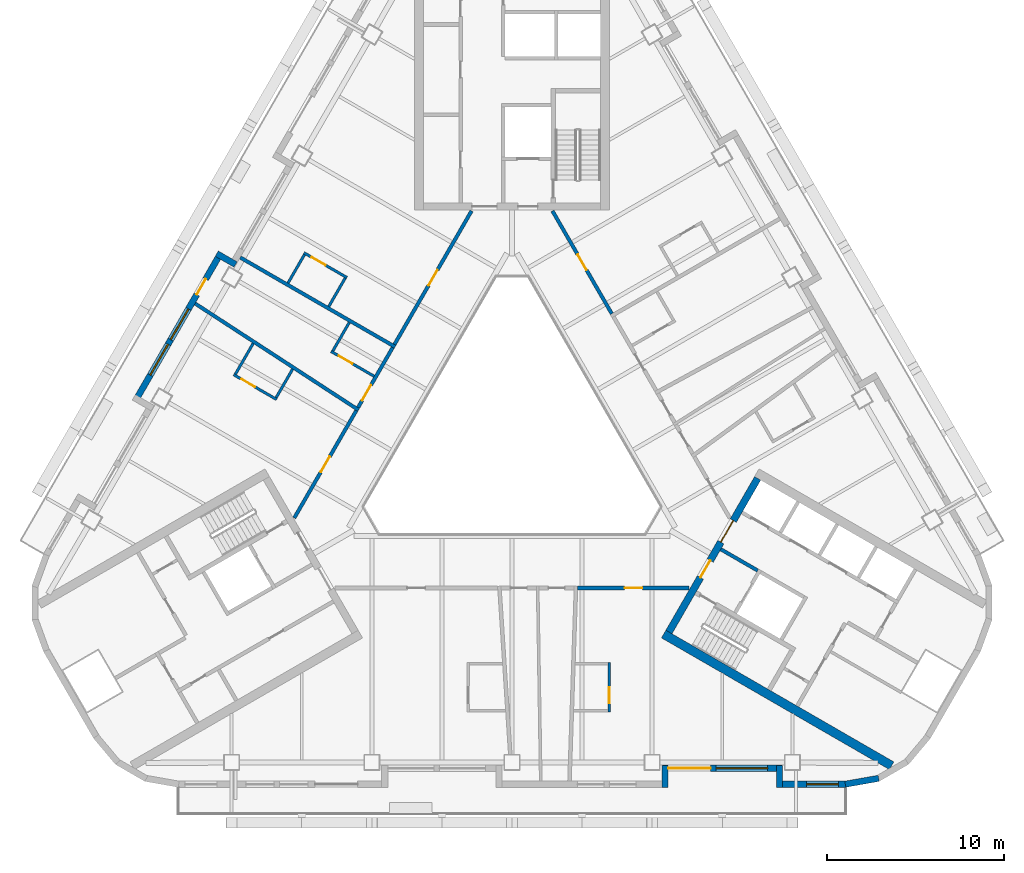
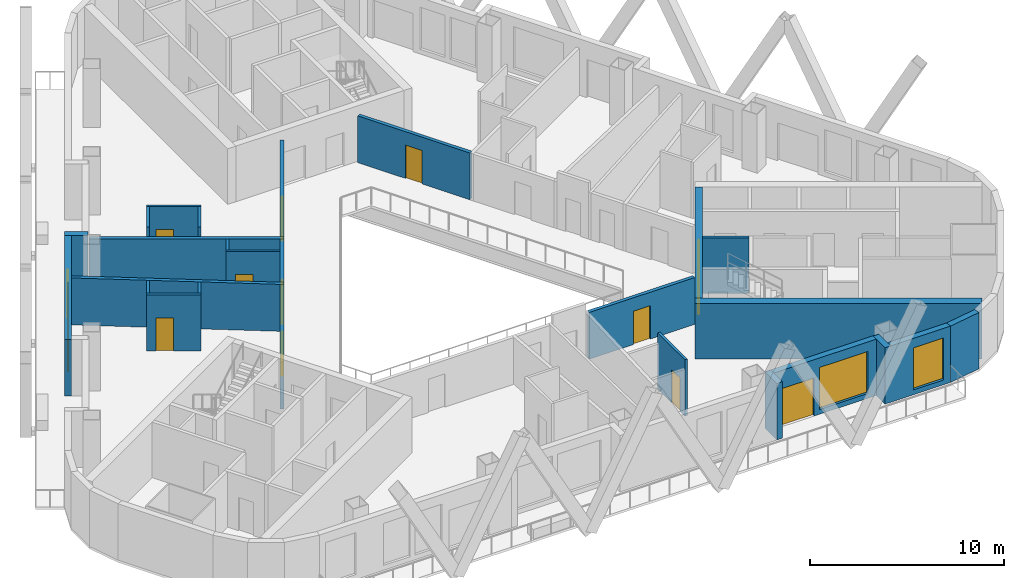
# One storey, part 4 of 14: 26 walls, 13 doors, 4 windows, 17 openings.
"""IFC4 building model written with IfcOpenShell, lengths in metres."""

from ifc_helpers import new_model, si_unit, direction, frame, frame_2d, origin, place, context, subcontext, project, spatial, rectangle, extrude, material, layer, layer_set, type_object, element, fill, save


model = new_model("IFC4")

# Units and contexts
model_context = context("Model", 3, precision=1e-05, world=origin(), true_north=direction((0.0, 1.0)))
body_context = subcontext(model_context, "Body", "Model", "MODEL_VIEW")
ifc_project = project(units=[si_unit("LENGTHUNIT", "METRE"), si_unit("AREAUNIT", "SQUARE_METRE"), si_unit("VOLUMEUNIT", "CUBIC_METRE"), si_unit("PLANEANGLEUNIT", "RADIAN"), si_unit("MASSUNIT", "GRAM", prefix="KILO")], contexts=[model_context])

# Site, building, storey
site_placement = place(None, origin())
site = spatial("IfcSite", under=ifc_project, at=site_placement, CompositionType="ELEMENT")
building_placement = place(site_placement, origin())
building = spatial("IfcBuilding", under=site, at=building_placement, Name="Apuvela Tower Hotel", CompositionType="ELEMENT")
storey_placement = place(building_placement, frame((0.0, 0.0, 113.10009765625)))
storey = spatial("IfcBuildingStorey", under=building, at=storey_placement, Name="L26", CompositionType="ELEMENT", Elevation=113.10009765625)

# Wall, openings, doors
ifc_material_1 = material(Name="Concrete C50/60", Category="concrete")
ifc_layer_1 = layer(ifc_material_1, 0.39990234375)
ifc_layer_set_1 = layer_set([ifc_layer_1], Name="COR-WALL-CORE-400")
wall_type_1 = type_object("IfcWallType", Name="COR-WALL-CORE-400", PredefinedType="SHEAR", material=ifc_layer_set_1)
wall_1_placement = place(storey_placement, frame((8.844970703125, -10.880126953125, 0.0), z_axis=(0.0, 0.0, 1.0), x_axis=(0.500004234368, 0.866022959057, 0.0)))
wall_1 = element("IfcWall", 1, at=wall_1_placement, inside=storey, type_object=wall_type_1, Name="Core wall SE", PredefinedType="SHEAR", context=body_context, shape_type="SweptSolid", body=[
    extrude(rectangle(XDim=10.0, YDim=0.39990234375, at=frame_2d((5.0, 0.0))), origin(), (0.0, 0.0, 1.0), 3.5),
])
opening_1_placement = place(wall_1_placement, frame((3.550048828125, 0.0, 0.0)))
opening_1 = element("IfcOpeningElement", 2, at=opening_1_placement, cuts=wall_1, Name="Opening E-FD", PredefinedType="OPENING", context=body_context, shape_type="SweptSolid", body=[
    extrude(rectangle(XDim=1.10009765625, YDim=2.10009765625, at=frame_2d((0.550048828125, 1.050048828125))), frame((0.0, 0.2099609375, 0.0), z_axis=(0.0, -1.0, 0.0), x_axis=(1.0, 0.0, 0.0)), (0.0, 0.0, 1.0), 0.419921875),
])
opening_2_placement = place(wall_1_placement, frame((5.85009765625, 0.0, 0.0)))
opening_2 = element("IfcOpeningElement", 3, at=opening_2_placement, cuts=wall_1, Name="Opening E-GD", PredefinedType="OPENING", context=body_context, shape_type="SweptSolid", body=[
    extrude(rectangle(XDim=1.39990234375, YDim=2.10009765625, at=frame_2d((0.699951171875, 1.050048828125))), frame((0.0, 0.2099609375, 0.0), z_axis=(0.0, -1.0, 0.0), x_axis=(1.0, 0.0, 0.0)), (0.0, 0.0, 1.0), 0.419921875),
])
ifc_material_2 = material(Name="Steel fire door, powder coated", Category="steel")
door_type_1 = type_object("IfcDoorType", Name="COR-FD-1100", OperationType="NOTDEFINED", PredefinedType="DOOR", material=ifc_material_2)
door_1_placement = place(opening_1_placement, frame((1.10009765625, 0.0, 0.0), z_axis=(0.0, 0.0, 1.0), x_axis=(-1.0, 0.0, 0.0)))
door_1 = element("IfcDoor", 4, at=door_1_placement, inside=storey, type_object=door_type_1, Name="Firefighting lobby door E-FD", OperationType="SINGLE_SWING_LEFT", OverallHeight=2.10009765625, OverallWidth=1.10009765625, PredefinedType="DOOR", context=body_context, shape_type="SweptSolid", body=[
    extrude(rectangle(XDim=1.10009765625, YDim=2.10009765625, at=frame_2d((0.550048828125, 1.050048828125))), frame((0.0, 0.02490234375, 0.0), z_axis=(0.0, -1.0, 0.0), x_axis=(1.0, 0.0, 0.0)), (0.0, 0.0, 1.0), 0.050048828125),
])
fill(opening_1, door_1)
ifc_material_3 = material(Name="Glazed steel fire door", Category="steel")
door_type_2 = type_object("IfcDoorType", Name="COR-GD-1400", OperationType="DOUBLE_DOOR_SINGLE_SWING", PredefinedType="DOOR", material=ifc_material_3)
door_2_placement = place(opening_2_placement, frame((1.39990234375, 0.0, 0.0), z_axis=(0.0, 0.0, 1.0), x_axis=(-1.0, 0.0, 0.0)))
door_2 = element("IfcDoor", 5, at=door_2_placement, inside=storey, type_object=door_type_2, Name="Lift lobby door E-GD", OperationType="DOUBLE_DOOR_SINGLE_SWING", OverallHeight=2.10009765625, OverallWidth=1.39990234375, PredefinedType="DOOR", context=body_context, shape_type="SweptSolid", body=[
    extrude(rectangle(XDim=1.39990234375, YDim=2.10009765625, at=frame_2d((0.699951171875, 1.050048828125))), frame((0.0, 0.02490234375, 0.0), z_axis=(0.0, -1.0, 0.0), x_axis=(1.0, 0.0, 0.0)), (0.0, 0.0, 1.0), 0.050048828125),
])
fill(opening_2, door_2)

# Walls
ifc_layer_2 = layer(ifc_material_1, 0.5)
ifc_layer_set_2 = layer_set([ifc_layer_2], Name="COR-WALL-CORE-500")
wall_type_2 = type_object("IfcWallType", Name="COR-WALL-CORE-500", PredefinedType="SHEAR", material=ifc_layer_set_2)
wall_2_placement = place(storey_placement, frame((8.546630859375, -10.99658203125, 0.0), z_axis=(0.0, 0.0, 1.0), x_axis=(0.866025009528, -0.500000682871, 0.0)))
element("IfcWall", 6, at=wall_2_placement, inside=storey, type_object=wall_type_2, Name="Core wall SE", PredefinedType="SHEAR", context=body_context, shape_type="SweptSolid", body=[
    extrude(rectangle(XDim=14.8369140625, YDim=0.5, at=frame_2d((7.41845703125, 0.0))), origin(), (0.0, 0.0, 1.0), 3.5),
])
ifc_layer_3 = layer(ifc_material_1, 0.199951171875)
ifc_layer_set_3 = layer_set([ifc_layer_3], Name="COR-WALL-SHAFT-200")
wall_type_3 = type_object("IfcWallType", Name="COR-WALL-SHAFT-200", PredefinedType="SHEAR", material=ifc_layer_set_3)
wall_3_placement = place(storey_placement, frame((11.76806640625, -6.217041015625, 0.0), z_axis=(0.0, 0.0, 1.0), x_axis=(0.866050077142, -0.499957262057, 0.0)))
element("IfcWall", 7, at=wall_3_placement, inside=storey, type_object=wall_type_3, Name="Shaft wall SE", PredefinedType="SHEAR", context=body_context, shape_type="SweptSolid", body=[
    extrude(rectangle(XDim=2.400146484375, YDim=0.199951171875, at=frame_2d((1.2001953125, 0.0))), origin(), (0.0, 0.0, 1.0), 3.5),
])
ifc_material_4 = material(Name="Concrete C40/50, dark pigmented precast panel", Category="concrete")
ifc_layer_4 = layer(ifc_material_4, 0.35009765625)
ifc_layer_set_4 = layer_set([ifc_layer_4], Name="ENV-WALL-350")
wall_type_4 = type_object("IfcWallType", Name="ENV-WALL-350", PredefinedType="SOLIDWALL", material=ifc_layer_set_4)
wall_4_placement = place(storey_placement, frame((-15.580810546875, 9.8330078125, 0.0), z_axis=(0.0, 0.0, 1.0), x_axis=(-0.866055662726, 0.499947586314, 0.0)))
element("IfcWall", 8, at=wall_4_placement, inside=storey, type_object=wall_type_4, Name="External wall L26-04", PredefinedType="SOLIDWALL", context=body_context, shape_type="SweptSolid", body=[
    extrude(rectangle(XDim=1.220458984375, YDim=0.35009765625, at=frame_2d((0.6103515625, 0.0))), origin(), (0.0, 0.0, 1.0), 3.5498046875),
])

# Wall, openings, door, windows
wall_5_placement = place(storey_placement, frame((-16.3984375, 10.507080078125, 0.0), z_axis=(0.0, 0.0, 1.0), x_axis=(-0.499999142773, -0.866025898704, 0.0)))
wall_5 = element("IfcWall", 9, at=wall_5_placement, inside=storey, type_object=wall_type_4, Name="External wall L26-05", PredefinedType="SOLIDWALL", context=body_context, shape_type="SweptSolid", body=[
    extrude(rectangle(XDim=9.7001953125, YDim=0.35009765625, at=frame_2d((4.85009765625, 0.0))), origin(), (0.0, 0.0, 1.0), 3.5498046875),
])
opening_3_placement = place(wall_5_placement, frame((1.7353515625, 0.0, 0.0)))
opening_3 = element("IfcOpeningElement", 10, at=opening_3_placement, cuts=wall_5, Name="Opening BD10", PredefinedType="OPENING", context=body_context, shape_type="SweptSolid", body=[
    extrude(rectangle(XDim=1.0, YDim=2.39990234375, at=frame_2d((0.5, 1.199951171875))), frame((0.0, 0.18505859375, 0.0), z_axis=(0.0, -1.0, 0.0), x_axis=(1.0, 0.0, 0.0)), (0.0, 0.0, 1.0), 0.3701171875),
])
opening_4_placement = place(wall_5_placement, frame((3.67041015625, 0.0, 0.300048828125)))
opening_4 = element("IfcOpeningElement", 11, at=opening_4_placement, cuts=wall_5, Name="Opening WN20", PredefinedType="OPENING", context=body_context, shape_type="SweptSolid", body=[
    extrude(rectangle(XDim=2.0, YDim=2.64990234375, at=frame_2d((1.0, 1.324951171875))), frame((0.0, 0.18505859375, 0.0), z_axis=(0.0, -1.0, 0.0), x_axis=(1.0, 0.0, 0.0)), (0.0, 0.0, 1.0), 0.3701171875),
])
opening_5_placement = place(wall_5_placement, frame((5.970458984375, 0.0, 0.300048828125)))
opening_5 = element("IfcOpeningElement", 12, at=opening_5_placement, cuts=wall_5, Name="Opening WN20", PredefinedType="OPENING", context=body_context, shape_type="SweptSolid", body=[
    extrude(rectangle(XDim=2.0, YDim=2.64990234375, at=frame_2d((1.0, 1.324951171875))), frame((0.0, 0.18505859375, 0.0), z_axis=(0.0, -1.0, 0.0), x_axis=(1.0, 0.0, 0.0)), (0.0, 0.0, 1.0), 0.3701171875),
])
ifc_material_5 = material(Name="Aluminium 6063-T6, dark bronze anodised frame with dark tinted laminated glass", Category="aluminium")
door_type_3 = type_object("IfcDoorType", Name="ENV-DOOR-BALCONY-1000x2400", OperationType="SLIDING_TO_LEFT", PredefinedType="DOOR", material=ifc_material_5)
door_3_placement = place(opening_3_placement, frame((1.0, 0.0, 0.0), z_axis=(0.0, 0.0, 1.0), x_axis=(-1.0, 0.0, 0.0)))
door_3 = element("IfcDoor", 13, at=door_3_placement, inside=storey, type_object=door_type_3, Name="Balcony door BD10", OperationType="SLIDING_TO_LEFT", OverallHeight=2.39990234375, OverallWidth=1.0, PredefinedType="DOOR", context=body_context, shape_type="SweptSolid", body=[
    extrude(rectangle(XDim=1.0, YDim=2.39990234375, at=frame_2d((0.5, 1.199951171875))), frame((0.0, 0.02490234375, 0.0), z_axis=(0.0, -1.0, 0.0), x_axis=(1.0, 0.0, 0.0)), (0.0, 0.0, 1.0), 0.050048828125),
])
fill(opening_3, door_3)
ifc_material_6 = material(Name="Glass, dark tinted laminated insulated glazing unit", Category="glass")
window_type_1 = type_object("IfcWindowType", Name="ENV-WIN-2000x2650", PartitioningType="SINGLE_PANEL", PredefinedType="WINDOW", material=ifc_material_6)
window_1_placement = place(opening_4_placement, origin())
window_1 = element("IfcWindow", 14, at=window_1_placement, inside=storey, type_object=window_type_1, Name="Window WN20", OverallHeight=2.64990234375, OverallWidth=2.0, PartitioningType="SINGLE_PANEL", PredefinedType="WINDOW", context=body_context, shape_type="SweptSolid", body=[
    extrude(rectangle(XDim=2.0, YDim=2.64990234375, at=frame_2d((1.0, 1.324951171875))), frame((0.0, 0.030029296875, 0.0), z_axis=(0.0, -1.0, 0.0), x_axis=(1.0, 0.0, 0.0)), (0.0, 0.0, 1.0), 0.06005859375),
])
fill(opening_4, window_1)
window_2_placement = place(opening_5_placement, origin())
window_2 = element("IfcWindow", 15, at=window_2_placement, inside=storey, type_object=window_type_1, Name="Window WN20", OverallHeight=2.64990234375, OverallWidth=2.0, PartitioningType="SINGLE_PANEL", PredefinedType="WINDOW", context=body_context, shape_type="SweptSolid", body=[
    extrude(rectangle(XDim=2.0, YDim=2.64990234375, at=frame_2d((1.0, 1.324951171875))), frame((0.0, 0.030029296875, 0.0), z_axis=(0.0, -1.0, 0.0), x_axis=(1.0, 0.0, 0.0)), (0.0, 0.0, 1.0), 0.06005859375),
])
fill(opening_5, window_2)

# Wall
wall_6_placement = place(storey_placement, frame((8.625, -19.6298828125, 0.0), z_axis=(0.0, 0.0, 1.0), x_axis=(0.0, 1.0, 0.0)))
element("IfcWall", 16, at=wall_6_placement, inside=storey, type_object=wall_type_4, Name="External wall L26-22", PredefinedType="SOLIDWALL", context=body_context, shape_type="SweptSolid", body=[
    extrude(rectangle(XDim=1.219970703125, YDim=0.35009765625, at=frame_2d((0.60986328125, 0.0))), origin(), (0.0, 0.0, 1.0), 3.5498046875),
])

# Wall, openings, door, window
wall_7_placement = place(storey_placement, frame((8.47998046875, -18.554931640625, 0.0), z_axis=(0.0, 0.0, 1.0), x_axis=(1.0, 0.0, 0.0)))
wall_7 = element("IfcWall", 17, at=wall_7_placement, inside=storey, type_object=wall_type_4, Name="External wall L26-23", PredefinedType="SOLIDWALL", context=body_context, shape_type="SweptSolid", body=[
    extrude(rectangle(XDim=6.739990234375, YDim=0.35009765625, at=frame_2d((3.3701171875, 0.0))), origin(), (0.0, 0.0, 1.0), 3.5498046875),
])
opening_6_placement = place(wall_7_placement, frame((0.3203125, 0.0, 0.0)))
opening_6 = element("IfcOpeningElement", 18, at=opening_6_placement, cuts=wall_7, Name="Opening BD24", PredefinedType="OPENING", context=body_context, shape_type="SweptSolid", body=[
    extrude(rectangle(XDim=2.39990234375, YDim=2.39990234375, at=frame_2d((1.199951171875, 1.199951171875))), frame((0.0, 0.18505859375, 0.0), z_axis=(0.0, -1.0, 0.0), x_axis=(1.0, 0.0, 0.0)), (0.0, 0.0, 1.0), 0.3701171875),
])
opening_7_placement = place(wall_7_placement, frame((3.020263671875, 0.0, 0.300048828125)))
opening_7 = element("IfcOpeningElement", 19, at=opening_7_placement, cuts=wall_7, Name="Opening WN29", PredefinedType="OPENING", context=body_context, shape_type="SweptSolid", body=[
    extrude(rectangle(XDim=2.89990234375, YDim=2.64990234375, at=frame_2d((1.449951171875, 1.324951171875))), frame((0.0, 0.18505859375, 0.0), z_axis=(0.0, -1.0, 0.0), x_axis=(1.0, 0.0, 0.0)), (0.0, 0.0, 1.0), 0.3701171875),
])
door_type_4 = type_object("IfcDoorType", Name="ENV-DOOR-BALCONY-2400x2400", OperationType="SLIDING_TO_LEFT", PredefinedType="DOOR", material=ifc_material_5)
door_4_placement = place(opening_6_placement, frame((2.39990234375, 0.0, 0.0), z_axis=(0.0, 0.0, 1.0), x_axis=(-1.0, 0.0, 0.0)))
door_4 = element("IfcDoor", 20, at=door_4_placement, inside=storey, type_object=door_type_4, Name="Balcony door BD24", OperationType="SLIDING_TO_LEFT", OverallHeight=2.39990234375, OverallWidth=2.39990234375, PredefinedType="DOOR", context=body_context, shape_type="SweptSolid", body=[
    extrude(rectangle(XDim=2.39990234375, YDim=2.39990234375, at=frame_2d((1.199951171875, 1.199951171875))), frame((0.0, 0.02490234375, 0.0), z_axis=(0.0, -1.0, 0.0), x_axis=(1.0, 0.0, 0.0)), (0.0, 0.0, 1.0), 0.050048828125),
])
fill(opening_6, door_4)
window_type_2 = type_object("IfcWindowType", Name="ENV-WIN-2900x2650", PartitioningType="SINGLE_PANEL", PredefinedType="WINDOW", material=ifc_material_6)
window_3_placement = place(opening_7_placement, origin())
window_3 = element("IfcWindow", 21, at=window_3_placement, inside=storey, type_object=window_type_2, Name="Window WN29", OverallHeight=2.64990234375, OverallWidth=2.89990234375, PartitioningType="SINGLE_PANEL", PredefinedType="WINDOW", context=body_context, shape_type="SweptSolid", body=[
    extrude(rectangle(XDim=2.89990234375, YDim=2.64990234375, at=frame_2d((1.449951171875, 1.324951171875))), frame((0.0, 0.030029296875, 0.0), z_axis=(0.0, -1.0, 0.0), x_axis=(1.0, 0.0, 0.0)), (0.0, 0.0, 1.0), 0.06005859375),
])
fill(opening_7, window_3)

# Wall
wall_8_placement = place(storey_placement, frame((15.074951171875, -18.409912109375, 0.0), z_axis=(0.0, 0.0, 1.0), x_axis=(0.0, -1.0, 0.0)))
element("IfcWall", 22, at=wall_8_placement, inside=storey, type_object=wall_type_4, Name="External wall L26-24", PredefinedType="SOLIDWALL", context=body_context, shape_type="SweptSolid", body=[
    extrude(rectangle(XDim=1.219970703125, YDim=0.35009765625, at=frame_2d((0.60986328125, 0.0))), origin(), (0.0, 0.0, 1.0), 3.5498046875),
])

# Wall, opening, window
wall_9_placement = place(storey_placement, frame((14.89990234375, -19.455078125, 0.0), z_axis=(0.0, 0.0, 1.0), x_axis=(1.0, 0.0, 0.0)))
wall_9 = element("IfcWall", 23, at=wall_9_placement, inside=storey, type_object=wall_type_4, Name="External wall L26-25", PredefinedType="SOLIDWALL", context=body_context, shape_type="SweptSolid", body=[
    extrude(rectangle(XDim=3.916015625, YDim=0.35009765625, at=frame_2d((1.9580078125, 0.0))), origin(), (0.0, 0.0, 1.0), 3.5498046875),
])
opening_8_placement = place(wall_9_placement, frame((1.699951171875, 0.0, 0.300048828125)))
opening_8 = element("IfcOpeningElement", 24, at=opening_8_placement, cuts=wall_9, Name="Opening WN18", PredefinedType="OPENING", context=body_context, shape_type="SweptSolid", body=[
    extrude(rectangle(XDim=1.800048828125, YDim=2.64990234375, at=frame_2d((0.89990234375, 1.324951171875))), frame((0.0, 0.18505859375, 0.0), z_axis=(0.0, -1.0, 0.0), x_axis=(1.0, 0.0, 0.0)), (0.0, 0.0, 1.0), 0.3701171875),
])
window_type_3 = type_object("IfcWindowType", Name="ENV-WIN-1800x2650", PartitioningType="SINGLE_PANEL", PredefinedType="WINDOW", material=ifc_material_6)
window_4_placement = place(opening_8_placement, origin())
window_4 = element("IfcWindow", 25, at=window_4_placement, inside=storey, type_object=window_type_3, Name="Window WN18", OverallHeight=2.64990234375, OverallWidth=1.800048828125, PartitioningType="SINGLE_PANEL", PredefinedType="WINDOW", context=body_context, shape_type="SweptSolid", body=[
    extrude(rectangle(XDim=1.800048828125, YDim=2.64990234375, at=frame_2d((0.89990234375, 1.324951171875))), frame((0.0, 0.030029296875, 0.0), z_axis=(0.0, -1.0, 0.0), x_axis=(1.0, 0.0, 0.0)), (0.0, 0.0, 1.0), 0.06005859375),
])
fill(opening_8, window_4)

# Walls
wall_10_placement = place(storey_placement, frame((18.785400390625, -19.457763671875, 0.0), z_axis=(0.0, 0.0, 1.0), x_axis=(0.984798995425, 0.173697837091, 0.0)))
element("IfcWall", 26, at=wall_10_placement, inside=storey, type_object=wall_type_4, Name="External wall L26-26", PredefinedType="SOLIDWALL", context=body_context, shape_type="SweptSolid", body=[
    extrude(rectangle(XDim=1.91015625, YDim=0.35009765625, at=frame_2d((0.955078125, 0.0))), origin(), (0.0, 0.0, 1.0), 3.5498046875),
])
ifc_material_7 = material(Name="Gypsum board partition on twin steel stud", Category="steel")
ifc_layer_5 = layer(ifc_material_7, 0.199951171875)
ifc_layer_set_5 = layer_set([ifc_layer_5], Name="GST-PW1")
wall_type_5 = type_object("IfcWallType", Name="GST-PW1", PredefinedType="PARTITIONING", material=ifc_layer_set_5)
wall_11_placement = place(storey_placement, frame((-15.3173828125, 10.229248046875, 0.0), z_axis=(0.0, 0.0, 1.0), x_axis=(0.866022637375, -0.500004791531, 0.0)))
element("IfcWall", 27, at=wall_11_placement, inside=storey, type_object=wall_type_5, Name="L26 partition 06", PredefinedType="PARTITIONING", context=body_context, shape_type="SweptSolid", body=[
    extrude(rectangle(XDim=10.080078125, YDim=0.199951171875, at=frame_2d((5.0400390625, 0.0))), origin(), (0.0, 0.0, 1.0), 2.9599609375),
])
wall_12_placement = place(storey_placement, frame((-17.85693359375, 7.630859375, 0.0), z_axis=(0.0, 0.0, 1.0), x_axis=(0.837909060234, -0.545809863211, 0.0)))
element("IfcWall", 28, at=wall_12_placement, inside=storey, type_object=wall_type_5, Name="L26 partition 07", PredefinedType="PARTITIONING", context=body_context, shape_type="SweptSolid", body=[
    extrude(rectangle(XDim=10.995849609375, YDim=0.199951171875, at=frame_2d((5.498046875, 0.0))), origin(), (0.0, 0.0, 1.0), 2.9599609375),
])

# Wall, opening, door
ifc_material_8 = material(Name="Gypsum board corridor wall on twin steel stud, acoustic", Category="steel")
ifc_layer_6 = layer(ifc_material_8, 0.199951171875)
ifc_layer_set_6 = layer_set([ifc_layer_6], Name="GST-PW2")
wall_type_6 = type_object("IfcWallType", Name="GST-PW2", PredefinedType="PARTITIONING", material=ifc_layer_set_6)
wall_13_placement = place(storey_placement, frame((9.98828125, -8.39990234375, 0.0), z_axis=(0.0, 0.0, 1.0), x_axis=(-1.0, 0.0, 0.0)))
wall_13 = element("IfcWall", 29, at=wall_13_placement, inside=storey, type_object=wall_type_6, Name="L26 partition 15", PredefinedType="PARTITIONING", context=body_context, shape_type="SweptSolid", body=[
    extrude(rectangle(XDim=6.284912109375, YDim=0.199951171875, at=frame_2d((3.142578125, 0.0))), origin(), (0.0, 0.0, 1.0), 2.949951171875),
])
opening_9_placement = place(wall_13_placement, frame((2.642333984375, 0.0, 0.0)))
opening_9 = element("IfcOpeningElement", 30, at=opening_9_placement, cuts=wall_13, Name="Opening GD09-06", PredefinedType="OPENING", context=body_context, shape_type="SweptSolid", body=[
    extrude(rectangle(XDim=1.0, YDim=2.10009765625, at=frame_2d((0.5, 1.050048828125))), frame((0.0, 0.10986328125, 0.0), z_axis=(0.0, -1.0, 0.0), x_axis=(1.0, 0.0, 0.0)), (0.0, 0.0, 1.0), 0.219970703125),
])
ifc_material_9 = material(Name="Timber door leaf in steel frame", Category="steel")
door_type_5 = type_object("IfcDoorType", Name="GST-D1", OperationType="NOTDEFINED", PredefinedType="DOOR", material=ifc_material_9)
door_5_placement = place(opening_9_placement, origin())
door_5 = element("IfcDoor", 31, at=door_5_placement, inside=storey, type_object=door_type_5, Name="Door L26-06", OperationType="SINGLE_SWING_RIGHT", OverallHeight=2.10009765625, OverallWidth=1.0, PredefinedType="DOOR", context=body_context, shape_type="SweptSolid", body=[
    extrude(rectangle(XDim=1.0, YDim=2.10009765625, at=frame_2d((0.5, 1.050048828125))), frame((0.0, 0.02490234375, 0.0), z_axis=(0.0, -1.0, 0.0), x_axis=(1.0, 0.0, 0.0)), (0.0, 0.0, 1.0), 0.050048828125),
])
fill(opening_9, door_5)

wall_14_placement = place(storey_placement, frame((2.280517578125, 12.85009765625, 0.0), z_axis=(0.0, 0.0, 1.0), x_axis=(0.499982611572, -0.866035442765, 0.0)))
wall_14 = element("IfcWall", 32, at=wall_14_placement, inside=storey, type_object=wall_type_6, Name="L26 partition 29", PredefinedType="PARTITIONING", context=body_context, shape_type="SweptSolid", body=[
    extrude(rectangle(XDim=6.688232421875, YDim=0.199951171875, at=frame_2d((3.34423828125, 0.0))), origin(), (0.0, 0.0, 1.0), 2.949951171875),
])
opening_10_placement = place(wall_14_placement, frame((2.843994140625, 0.0, 0.0)))
opening_10 = element("IfcOpeningElement", 33, at=opening_10_placement, cuts=wall_14, Name="Opening GD09-14", PredefinedType="OPENING", context=body_context, shape_type="SweptSolid", body=[
    extrude(rectangle(XDim=1.0, YDim=2.10009765625, at=frame_2d((0.5, 1.050048828125))), frame((0.0, 0.10986328125, 0.0), z_axis=(0.0, -1.0, 0.0), x_axis=(1.0, 0.0, 0.0)), (0.0, 0.0, 1.0), 0.219970703125),
])
door_6_placement = place(opening_10_placement, origin())
door_6 = element("IfcDoor", 34, at=door_6_placement, inside=storey, type_object=door_type_5, Name="Door L26-14", OperationType="SINGLE_SWING_RIGHT", OverallHeight=2.10009765625, OverallWidth=1.0, PredefinedType="DOOR", context=body_context, shape_type="SweptSolid", body=[
    extrude(rectangle(XDim=1.0, YDim=2.10009765625, at=frame_2d((0.5, 1.050048828125))), frame((0.0, 0.02490234375, 0.0), z_axis=(0.0, -1.0, 0.0), x_axis=(1.0, 0.0, 0.0)), (0.0, 0.0, 1.0), 0.050048828125),
])
fill(opening_10, door_6)

wall_15_placement = place(storey_placement, frame((-6.62451171875, 5.32568359375, 0.0), z_axis=(0.0, 0.0, 1.0), x_axis=(0.499980288617, 0.866036783858, 0.0)))
wall_15 = element("IfcWall", 35, at=wall_15_placement, inside=storey, type_object=wall_type_6, Name="L26 partition 33", PredefinedType="PARTITIONING", context=body_context, shape_type="SweptSolid", body=[
    extrude(rectangle(XDim=8.688232421875, YDim=0.199951171875, at=frame_2d((4.34423828125, 0.0))), origin(), (0.0, 0.0, 1.0), 2.949951171875),
])
opening_11_placement = place(wall_15_placement, frame((3.843994140625, 0.0, 0.0)))
opening_11 = element("IfcOpeningElement", 36, at=opening_11_placement, cuts=wall_15, Name="Opening GD09-16", PredefinedType="OPENING", context=body_context, shape_type="SweptSolid", body=[
    extrude(rectangle(XDim=1.0, YDim=2.10009765625, at=frame_2d((0.5, 1.050048828125))), frame((0.0, 0.10986328125, 0.0), z_axis=(0.0, -1.0, 0.0), x_axis=(1.0, 0.0, 0.0)), (0.0, 0.0, 1.0), 0.219970703125),
])
door_7_placement = place(opening_11_placement, origin())
door_7 = element("IfcDoor", 37, at=door_7_placement, inside=storey, type_object=door_type_5, Name="Door L26-16", OperationType="SINGLE_SWING_LEFT", OverallHeight=2.10009765625, OverallWidth=1.0, PredefinedType="DOOR", context=body_context, shape_type="SweptSolid", body=[
    extrude(rectangle(XDim=1.0, YDim=2.10009765625, at=frame_2d((0.5, 1.050048828125))), frame((0.0, 0.02490234375, 0.0), z_axis=(0.0, -1.0, 0.0), x_axis=(1.0, 0.0, 0.0)), (0.0, 0.0, 1.0), 0.050048828125),
])
fill(opening_11, door_7)

wall_16_placement = place(storey_placement, frame((-8.67724609375, 1.7705078125, 0.0), z_axis=(0.0, 0.0, 1.0), x_axis=(0.499998439657, 0.866026304647, 0.0)))
wall_16 = element("IfcWall", 38, at=wall_16_placement, inside=storey, type_object=wall_type_6, Name="L26 partition 37", PredefinedType="PARTITIONING", context=body_context, shape_type="SweptSolid", body=[
    extrude(rectangle(XDim=3.9052734375, YDim=0.199951171875, at=frame_2d((1.95263671875, 0.0))), origin(), (0.0, 0.0, 1.0), 2.949951171875),
])
opening_12_placement = place(wall_16_placement, frame((0.455078125, 0.0, 0.0)))
opening_12 = element("IfcOpeningElement", 39, at=opening_12_placement, cuts=wall_16, Name="Opening GD09-18", PredefinedType="OPENING", context=body_context, shape_type="SweptSolid", body=[
    extrude(rectangle(XDim=1.0, YDim=2.10009765625, at=frame_2d((0.5, 1.050048828125))), frame((0.0, 0.10986328125, 0.0), z_axis=(0.0, -1.0, 0.0), x_axis=(1.0, 0.0, 0.0)), (0.0, 0.0, 1.0), 0.219970703125),
])
door_8_placement = place(opening_12_placement, origin())
door_8 = element("IfcDoor", 40, at=door_8_placement, inside=storey, type_object=door_type_5, Name="Door L26-18", OperationType="SINGLE_SWING_LEFT", OverallHeight=2.10009765625, OverallWidth=1.0, PredefinedType="DOOR", context=body_context, shape_type="SweptSolid", body=[
    extrude(rectangle(XDim=1.0, YDim=2.10009765625, at=frame_2d((0.5, 1.050048828125))), frame((0.0, 0.02490234375, 0.0), z_axis=(0.0, -1.0, 0.0), x_axis=(1.0, 0.0, 0.0)), (0.0, 0.0, 1.0), 0.050048828125),
])
fill(opening_12, door_8)

wall_17_placement = place(storey_placement, frame((-12.268798828125, -4.449951171875, 0.0), z_axis=(0.0, 0.0, 1.0), x_axis=(0.500016026819, 0.866016150498, 0.0)))
wall_17 = element("IfcWall", 41, at=wall_17_placement, inside=storey, type_object=wall_type_6, Name="L26 partition 40", PredefinedType="PARTITIONING", context=body_context, shape_type="SweptSolid", body=[
    extrude(rectangle(XDim=6.982666015625, YDim=0.199951171875, at=frame_2d((3.4912109375, 0.0))), origin(), (0.0, 0.0, 1.0), 2.949951171875),
])
opening_13_placement = place(wall_17_placement, frame((2.9912109375, 0.0, 0.0)))
opening_13 = element("IfcOpeningElement", 42, at=opening_13_placement, cuts=wall_17, Name="Opening GD09-20", PredefinedType="OPENING", context=body_context, shape_type="SweptSolid", body=[
    extrude(rectangle(XDim=1.0, YDim=2.10009765625, at=frame_2d((0.5, 1.050048828125))), frame((0.0, 0.10986328125, 0.0), z_axis=(0.0, -1.0, 0.0), x_axis=(1.0, 0.0, 0.0)), (0.0, 0.0, 1.0), 0.219970703125),
])
door_9_placement = place(opening_13_placement, origin())
door_9 = element("IfcDoor", 43, at=door_9_placement, inside=storey, type_object=door_type_5, Name="Door L26-20", OperationType="SINGLE_SWING_RIGHT", OverallHeight=2.10009765625, OverallWidth=1.0, PredefinedType="DOOR", context=body_context, shape_type="SweptSolid", body=[
    extrude(rectangle(XDim=1.0, YDim=2.10009765625, at=frame_2d((0.5, 1.050048828125))), frame((0.0, 0.02490234375, 0.0), z_axis=(0.0, -1.0, 0.0), x_axis=(1.0, 0.0, 0.0)), (0.0, 0.0, 1.0), 0.050048828125),
])
fill(opening_13, door_9)

ifc_material_10 = material(Name="Moisture-resistant gypsum board wet wall on steel stud", Category="steel")
ifc_layer_7 = layer(ifc_material_10, 0.14990234375)
ifc_layer_set_7 = layer_set([ifc_layer_7], Name="GST-PW3")
wall_type_7 = type_object("IfcWallType", Name="GST-PW3", PredefinedType="PARTITIONING", material=ifc_layer_set_7)
wall_18_placement = place(storey_placement, frame((5.488037109375, -15.39990234375, 0.0), z_axis=(0.0, 0.0, 1.0), x_axis=(0.0, 1.0, 0.0)))
wall_18 = element("IfcWall", 44, at=wall_18_placement, inside=storey, type_object=wall_type_7, Name="L26 partition 16", PredefinedType="PARTITIONING", context=body_context, shape_type="SweptSolid", body=[
    extrude(rectangle(XDim=2.7998046875, YDim=0.14990234375, at=frame_2d((1.39990234375, 0.0))), origin(), (0.0, 0.0, 1.0), 3.5498046875),
])
opening_14_placement = place(wall_18_placement, frame((0.5, 0.0, 0.0)))
opening_14 = element("IfcOpeningElement", 45, at=opening_14_placement, cuts=wall_18, Name="Opening GD09-05", PredefinedType="OPENING", context=body_context, shape_type="SweptSolid", body=[
    extrude(rectangle(XDim=0.89990234375, YDim=2.10009765625, at=frame_2d((0.449951171875, 1.050048828125))), frame((0.0, 0.0849609375, 0.0), z_axis=(0.0, -1.0, 0.0), x_axis=(1.0, 0.0, 0.0)), (0.0, 0.0, 1.0), 0.169921875),
])
door_type_6 = type_object("IfcDoorType", Name="GST-D2", OperationType="NOTDEFINED", PredefinedType="DOOR", material=ifc_material_9)
door_10_placement = place(opening_14_placement, origin())
door_10 = element("IfcDoor", 46, at=door_10_placement, inside=storey, type_object=door_type_6, Name="Door L26-05", OperationType="SINGLE_SWING_LEFT", OverallHeight=2.10009765625, OverallWidth=0.89990234375, PredefinedType="DOOR", context=body_context, shape_type="SweptSolid", body=[
    extrude(rectangle(XDim=0.89990234375, YDim=2.10009765625, at=frame_2d((0.449951171875, 1.050048828125))), frame((0.0, 0.02490234375, 0.0), z_axis=(0.0, -1.0, 0.0), x_axis=(1.0, 0.0, 0.0)), (0.0, 0.0, 1.0), 0.050048828125),
])
fill(opening_14, door_10)

wall_19_placement = place(storey_placement, frame((-9.29931640625, 9.093017578125, 0.0), z_axis=(0.0, 0.0, 1.0), x_axis=(-0.866056369097, 0.49994636267, 0.0)))
wall_19 = element("IfcWall", 47, at=wall_19_placement, inside=storey, type_object=wall_type_7, Name="L26 partition 34", PredefinedType="PARTITIONING", context=body_context, shape_type="SweptSolid", body=[
    extrude(rectangle(XDim=2.800048828125, YDim=0.14990234375, at=frame_2d((1.39990234375, 0.0))), origin(), (0.0, 0.0, 1.0), 3.5498046875),
])
opening_15_placement = place(wall_19_placement, frame((1.39990234375, 0.0, 0.0)))
opening_15 = element("IfcOpeningElement", 48, at=opening_15_placement, cuts=wall_19, Name="Opening GD09-15", PredefinedType="OPENING", context=body_context, shape_type="SweptSolid", body=[
    extrude(rectangle(XDim=0.89990234375, YDim=2.10009765625, at=frame_2d((0.449951171875, 1.050048828125))), frame((0.0, 0.0849609375, 0.0), z_axis=(0.0, -1.0, 0.0), x_axis=(1.0, 0.0, 0.0)), (0.0, 0.0, 1.0), 0.169921875),
])
door_11_placement = place(opening_15_placement, origin())
door_11 = element("IfcDoor", 49, at=door_11_placement, inside=storey, type_object=door_type_6, Name="Door L26-15", OperationType="SINGLE_SWING_RIGHT", OverallHeight=2.10009765625, OverallWidth=0.89990234375, PredefinedType="DOOR", context=body_context, shape_type="SweptSolid", body=[
    extrude(rectangle(XDim=0.89990234375, YDim=2.10009765625, at=frame_2d((0.449951171875, 1.050048828125))), frame((0.0, 0.02490234375, 0.0), z_axis=(0.0, -1.0, 0.0), x_axis=(1.0, 0.0, 0.0)), (0.0, 0.0, 1.0), 0.050048828125),
])
fill(opening_15, door_11)

# Walls
for number, where, z_axis, x_axis, name in (
    (50, (-11.69677734375, 10.390380859375, 0.0), (0.0, 0.0, 1.0), (-0.500042316284, -0.866000971088, 0.0), "L26 partition 35"),
    (51, (-9.40185546875, 9.0654296875, 0.0), (0.0, 0.0, 1.0), (-0.500042316284, -0.866000971088, 0.0), "L26 partition 36"),
):
    element("IfcWall", number, at=place(storey_placement, frame(where, z_axis=z_axis, x_axis=x_axis)), inside=storey, type_object=wall_type_7, Name=name, PredefinedType="PARTITIONING", context=body_context, shape_type="SweptSolid", body=[
        extrude(rectangle(XDim=1.849853515625, YDim=0.14990234375, at=frame_2d((0.9248046875, 0.0))), origin(), (0.0, 0.0, 1.0), 3.5498046875),
    ])

# Wall, opening, door
wall_20_placement = place(storey_placement, frame((-10.198486328125, 4.935546875, 0.0), z_axis=(0.0, 0.0, 1.0), x_axis=(0.865996816683, -0.500049511043, 0.0)))
wall_20 = element("IfcWall", 52, at=wall_20_placement, inside=storey, type_object=wall_type_7, Name="L26 partition 38", PredefinedType="PARTITIONING", context=body_context, shape_type="SweptSolid", body=[
    extrude(rectangle(XDim=2.800048828125, YDim=0.14990234375, at=frame_2d((1.39990234375, 0.0))), origin(), (0.0, 0.0, 1.0), 3.5498046875),
])
opening_16_placement = place(wall_20_placement, frame((0.5, 0.0, 0.0)))
opening_16 = element("IfcOpeningElement", 53, at=opening_16_placement, cuts=wall_20, Name="Opening GD09-17", PredefinedType="OPENING", context=body_context, shape_type="SweptSolid", body=[
    extrude(rectangle(XDim=0.89990234375, YDim=2.10009765625, at=frame_2d((0.449951171875, 1.050048828125))), frame((0.0, 0.0849609375, 0.0), z_axis=(0.0, -1.0, 0.0), x_axis=(1.0, 0.0, 0.0)), (0.0, 0.0, 1.0), 0.169921875),
])
door_12_placement = place(opening_16_placement, origin())
door_12 = element("IfcDoor", 54, at=door_12_placement, inside=storey, type_object=door_type_6, Name="Door L26-17", OperationType="SINGLE_SWING_LEFT", OverallHeight=2.10009765625, OverallWidth=0.89990234375, PredefinedType="DOOR", context=body_context, shape_type="SweptSolid", body=[
    extrude(rectangle(XDim=0.89990234375, YDim=2.10009765625, at=frame_2d((0.449951171875, 1.050048828125))), frame((0.0, 0.02490234375, 0.0), z_axis=(0.0, -1.0, 0.0), x_axis=(1.0, 0.0, 0.0)), (0.0, 0.0, 1.0), 0.050048828125),
])
fill(opening_16, door_12)

# Wall
wall_21_placement = place(storey_placement, frame((-9.171142578125, 6.565185546875, 0.0), z_axis=(0.0, 0.0, 1.0), x_axis=(-0.499985172903, -0.866033964044, 0.0)))
element("IfcWall", 55, at=wall_21_placement, inside=storey, type_object=wall_type_7, Name="L26 partition 39", PredefinedType="PARTITIONING", context=body_context, shape_type="SweptSolid", body=[
    extrude(rectangle(XDim=1.85009765625, YDim=0.14990234375, at=frame_2d((0.925048828125, 0.0))), origin(), (0.0, 0.0, 1.0), 2.949951171875),
])

# Wall, opening, door
wall_22_placement = place(storey_placement, frame((-15.689208984375, 3.625732421875, 0.0), z_axis=(0.0, 0.0, 1.0), x_axis=(0.866018616679, -0.500011755427, 0.0)))
wall_22 = element("IfcWall", 56, at=wall_22_placement, inside=storey, type_object=wall_type_7, Name="L26 partition 41", PredefinedType="PARTITIONING", context=body_context, shape_type="SweptSolid", body=[
    extrude(rectangle(XDim=2.80029296875, YDim=0.14990234375, at=frame_2d((1.400146484375, 0.0))), origin(), (0.0, 0.0, 1.0), 3.5498046875),
])
opening_17_placement = place(wall_22_placement, frame((0.5, 0.0, 0.0)))
opening_17 = element("IfcOpeningElement", 57, at=opening_17_placement, cuts=wall_22, Name="Opening GD09-19", PredefinedType="OPENING", context=body_context, shape_type="SweptSolid", body=[
    extrude(rectangle(XDim=0.89990234375, YDim=2.10009765625, at=frame_2d((0.449951171875, 1.050048828125))), frame((0.0, 0.0849609375, 0.0), z_axis=(0.0, -1.0, 0.0), x_axis=(1.0, 0.0, 0.0)), (0.0, 0.0, 1.0), 0.169921875),
])
door_13_placement = place(opening_17_placement, origin())
door_13 = element("IfcDoor", 58, at=door_13_placement, inside=storey, type_object=door_type_6, Name="Door L26-19", OperationType="SINGLE_SWING_LEFT", OverallHeight=2.10009765625, OverallWidth=0.89990234375, PredefinedType="DOOR", context=body_context, shape_type="SweptSolid", body=[
    extrude(rectangle(XDim=0.89990234375, YDim=2.10009765625, at=frame_2d((0.449951171875, 1.050048828125))), frame((0.0, 0.02490234375, 0.0), z_axis=(0.0, -1.0, 0.0), x_axis=(1.0, 0.0, 0.0)), (0.0, 0.0, 1.0), 0.050048828125),
])
fill(opening_17, door_13)

# Walls
wall_23_placement = place(storey_placement, frame((-14.58837890625, 5.38232421875, 0.0), z_axis=(0.0, 0.0, 1.0), x_axis=(-0.500018837128, -0.86601452789, 0.0)))
element("IfcWall", 59, at=wall_23_placement, inside=storey, type_object=wall_type_7, Name="L26 partition 42", PredefinedType="PARTITIONING", context=body_context, shape_type="SweptSolid", body=[
    extrude(rectangle(XDim=1.99658203125, YDim=0.14990234375, at=frame_2d((0.998291015625, 0.0))), origin(), (0.0, 0.0, 1.0), 2.949951171875),
])
wall_24_placement = place(storey_placement, frame((-12.364501953125, 3.933837890625, 0.0), z_axis=(0.0, 0.0, 1.0), x_axis=(-0.4999770169, -0.866038672677, 0.0)))
element("IfcWall", 60, at=wall_24_placement, inside=storey, type_object=wall_type_7, Name="L26 partition 43", PredefinedType="PARTITIONING", context=body_context, shape_type="SweptSolid", body=[
    extrude(rectangle(XDim=1.85400390625, YDim=0.14990234375, at=frame_2d((0.927001953125, 0.0))), origin(), (0.0, 0.0, 1.0), 2.949951171875),
])

save(model, "model.ifc")
